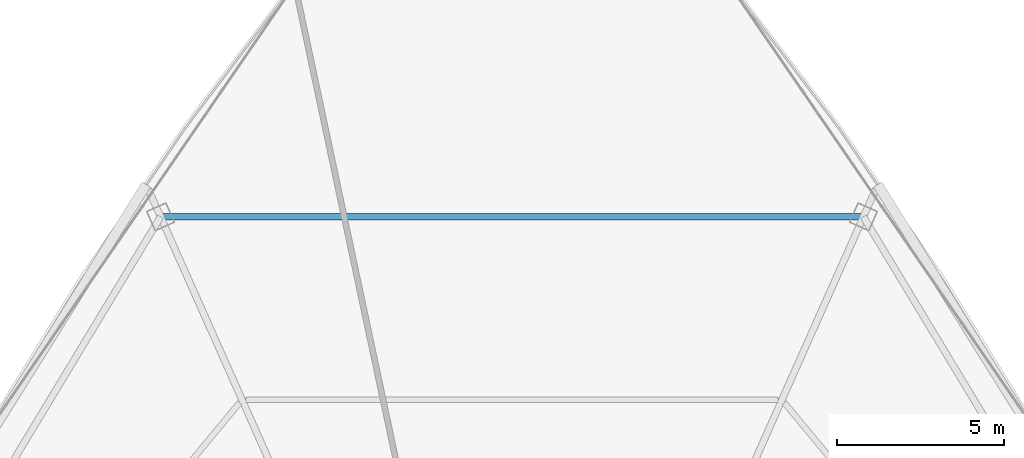
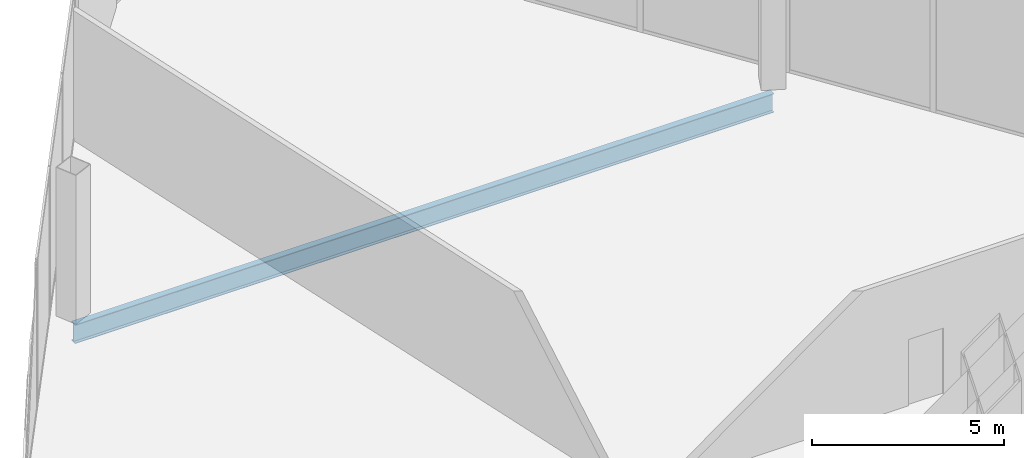
# One storey, part 24 of 33: 1 beam.
"""IFC4 building model written with IfcOpenShell, lengths in metres."""

from ifc_helpers import new_model, si_unit, direction, frame, origin, origin_2d, place, context, subcontext, project, spatial, i_section, extrude, source, transform, mapped, material, material_profile, profile_set, type_object, element, save


model = new_model("IFC4")

# Units and contexts
model_context = context("Model", 3, precision=1e-05, world=origin(), true_north=direction((0.0, 1.0)))
body_context = subcontext(model_context, "Body", "Model", "MODEL_VIEW")
ifc_project = project(units=[si_unit("LENGTHUNIT", "METRE"), si_unit("AREAUNIT", "SQUARE_METRE"), si_unit("VOLUMEUNIT", "CUBIC_METRE"), si_unit("PLANEANGLEUNIT", "RADIAN"), si_unit("MASSUNIT", "GRAM", prefix="KILO"), si_unit("THERMODYNAMICTEMPERATUREUNIT", "KELVIN"), si_unit("POWERUNIT", "WATT")], contexts=[model_context])

# Site, building, storey
site_placement = place(None, origin())
site = spatial("IfcSite", under=ifc_project, at=site_placement, CompositionType="ELEMENT")
building_placement = place(site_placement, origin())
building = spatial("IfcBuilding", under=site, at=building_placement, Name="Yunzhuo Pagoda Commons", CompositionType="ELEMENT")
storey_placement = place(building_placement, frame((0.0, 0.0, 386.760009765625)))
storey = spatial("IfcBuildingStorey", under=building, at=storey_placement, Name="L96", CompositionType="ELEMENT", Elevation=386.760009765625)

# Beam
ifc_material = material(Name="Structural steel Q355B", Category="steel")
ifc_material_profile = material_profile(ifc_material, i_section(OverallWidth=0.199951171875, OverallDepth=0.60009765625, WebThickness=0.010986328125, FlangeThickness=0.01708984375, at=origin_2d()), Name="Structural steel Q355B")
ifc_profile_set = profile_set([ifc_material_profile], Name="Structural steel Q355B")
beam_type = type_object("IfcBeamType", Name="B-RG3 Beam HN 600x200x11x17", PredefinedType="BEAM", material=ifc_profile_set)
shared_shape = source(origin(), body_context, "Body", "SweptSolid", [
    extrude(i_section(OverallWidth=0.199951171875, OverallDepth=0.60009765625, WebThickness=0.010986328125, FlangeThickness=0.01708984375, at=origin_2d()), origin(), (0.0, 0.0, 1.0), 20.99755859375),
])
beam_placement = place(storey_placement, frame((58.498779296875, 57.281005859375, -0.580078125), z_axis=(-1.0, 0.0, 0.0), x_axis=(0.0, -1.0, 0.0)))
element("IfcBeam", 1, at=beam_placement, inside=storey, type_object=beam_type, Name="L96 column-ring beam 8", PredefinedType="BEAM", context=body_context, shape_type="MappedRepresentation", body=[
    mapped(shared_shape, transform((0.0, 0.0, 0.0), scale=1.0)),
])

save(model, "model.ifc")
